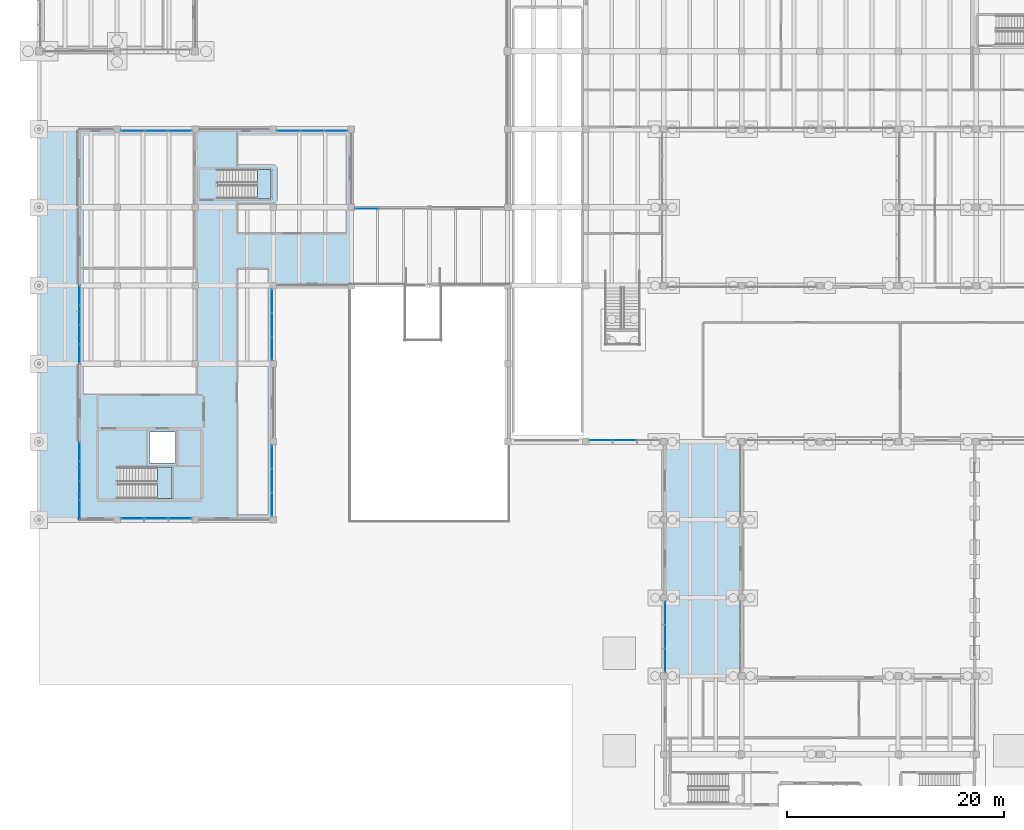
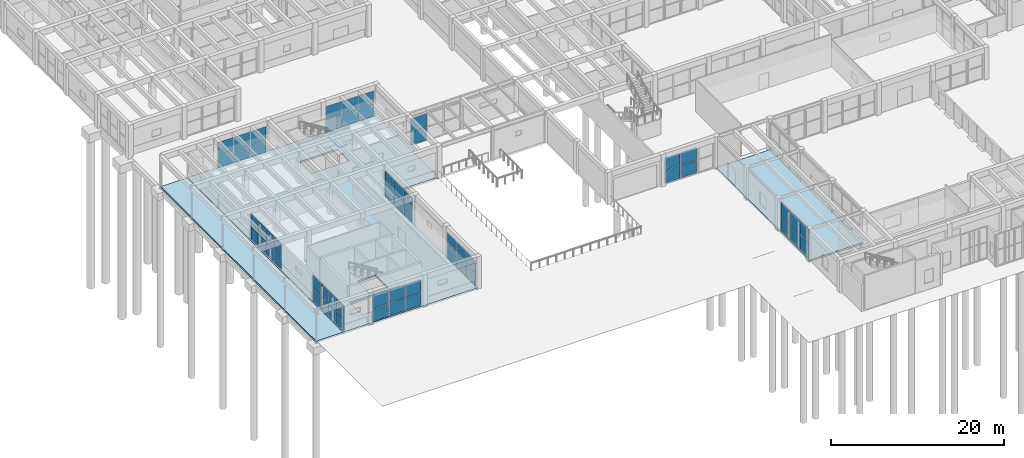
# One storey, part 109 of 155: 58 plates, 5 slabs, 12 elements without a shape of their own.
"""IFC4 building model written with IfcOpenShell, lengths in metres."""

from ifc_helpers import new_model, si_unit, direction, frame, origin, origin_2d, place, context, subcontext, project, spatial, polyline, rectangle, outline, extrude, material, layer, layer_set, type_object, element, aggregate, save


model = new_model("IFC4")

# Units and contexts
model_context = context("Model", 3, precision=1e-05, world=origin(), true_north=direction((0.0, 1.0)))
body_context = subcontext(model_context, "Body", "Model", "MODEL_VIEW")
ifc_project = project(units=[si_unit("LENGTHUNIT", "METRE"), si_unit("AREAUNIT", "SQUARE_METRE"), si_unit("VOLUMEUNIT", "CUBIC_METRE"), si_unit("PLANEANGLEUNIT", "RADIAN"), si_unit("MASSUNIT", "GRAM", prefix="KILO")], contexts=[model_context])

# Site, building, storey
site_placement = place(None, origin())
site = spatial("IfcSite", under=ifc_project, at=site_placement, CompositionType="ELEMENT")
building_placement = place(site_placement, origin())
building = spatial("IfcBuilding", under=site, at=building_placement, Name="Bramvelor Terrace Health Centre", CompositionType="ELEMENT")
storey_placement = place(building_placement, origin())
storey = spatial("IfcBuildingStorey", under=building, at=storey_placement, Name="L01", CompositionType="ELEMENT", Elevation=0.0)

# Curtain wall, plates
ifc_material_1 = material(Name="Anodized aluminium and double low-E glass", Category="aluminium")
curtain_wall_type_1 = type_object("IfcCurtainWallType", Name="CW-SYS-02", PredefinedType="NOTDEFINED", material=ifc_material_1)
curtain_wall_1_placement = place(storey_placement, origin())
curtain_wall_1 = element("IfcCurtainWall", 1, at=curtain_wall_1_placement, inside=storey, type_object=curtain_wall_type_1, Name="L01 Unitized Curtain Wall 4", PredefinedType="NOTDEFINED")
ifc_material_2 = material(Name="Double low-E laminated glass", Category="glass")
ifc_layer_1 = layer(ifc_material_2, 0.028076171875)
ifc_layer_set_1 = layer_set([ifc_layer_1], Name="Double low-E laminated glass")
plate_type = type_object("IfcPlateType", Name="CW-PNL-GLZ28", PredefinedType="CURTAIN_PANEL", material=ifc_layer_set_1)
plate_1_placement = place(storey_placement, frame((21.469970703125, 48.984619140625, 0.06494140625), z_axis=(0.0, 0.0, 1.0), x_axis=(0.0, -1.0, 0.0)))
plate_1 = element("IfcPlate", 2, at=plate_1_placement, type_object=plate_type, Name="CW-02 panel 1.1", PredefinedType="CURTAIN_PANEL", context=body_context, shape_type="SweptSolid", body=[
    extrude(rectangle(XDim=2.0908203125, YDim=0.028076171875, at=origin_2d()), origin(), (0.0, 0.0, 1.0), 1.762451171875),
])
plate_2_placement = place(storey_placement, frame((21.469970703125, 48.984619140625, 1.892578125), z_axis=(0.0, 0.0, 1.0), x_axis=(0.0, -1.0, 0.0)))
plate_2 = element("IfcPlate", 3, at=plate_2_placement, type_object=plate_type, Name="CW-02 panel 1.2", PredefinedType="CURTAIN_PANEL", context=body_context, shape_type="SweptSolid", body=[
    extrude(rectangle(XDim=2.0908203125, YDim=0.028076171875, at=origin_2d()), origin(), (0.0, 0.0, 1.0), 1.762451171875),
])
plate_3_placement = place(storey_placement, frame((21.469970703125, 46.800048828125, 0.06494140625), z_axis=(0.0, 0.0, 1.0), x_axis=(0.0, -1.0, 0.0)))
plate_3 = element("IfcPlate", 4, at=plate_3_placement, type_object=plate_type, Name="CW-02 panel 2.1", PredefinedType="CURTAIN_PANEL", context=body_context, shape_type="SweptSolid", body=[
    extrude(rectangle(XDim=2.12841796875, YDim=0.028076171875, at=origin_2d()), origin(), (0.0, 0.0, 1.0), 1.762451171875),
])
plate_4_placement = place(storey_placement, frame((21.469970703125, 46.800048828125, 1.892578125), z_axis=(0.0, 0.0, 1.0), x_axis=(0.0, -1.0, 0.0)))
plate_4 = element("IfcPlate", 5, at=plate_4_placement, type_object=plate_type, Name="CW-02 panel 2.2", PredefinedType="CURTAIN_PANEL", context=body_context, shape_type="SweptSolid", body=[
    extrude(rectangle(XDim=2.12841796875, YDim=0.028076171875, at=origin_2d()), origin(), (0.0, 0.0, 1.0), 1.762451171875),
])
plate_5_placement = place(storey_placement, frame((21.469970703125, 44.615478515625, 0.06494140625), z_axis=(0.0, 0.0, 1.0), x_axis=(0.0, -1.0, 0.0)))
plate_5 = element("IfcPlate", 6, at=plate_5_placement, type_object=plate_type, Name="CW-02 panel 3.1", PredefinedType="CURTAIN_PANEL", context=body_context, shape_type="SweptSolid", body=[
    extrude(rectangle(XDim=2.0908203125, YDim=0.028076171875, at=origin_2d()), origin(), (0.0, 0.0, 1.0), 1.762451171875),
])
plate_6_placement = place(storey_placement, frame((21.469970703125, 44.615478515625, 1.892578125), z_axis=(0.0, 0.0, 1.0), x_axis=(0.0, -1.0, 0.0)))
plate_6 = element("IfcPlate", 7, at=plate_6_placement, type_object=plate_type, Name="CW-02 panel 3.2", PredefinedType="CURTAIN_PANEL", context=body_context, shape_type="SweptSolid", body=[
    extrude(rectangle(XDim=2.0908203125, YDim=0.028076171875, at=origin_2d()), origin(), (0.0, 0.0, 1.0), 1.762451171875),
])
aggregate(curtain_wall_1, [plate_1, plate_2, plate_3, plate_4, plate_5, plate_6])

curtain_wall_2_placement = place(storey_placement, origin())
curtain_wall_2 = element("IfcCurtainWall", 8, at=curtain_wall_2_placement, inside=storey, type_object=curtain_wall_type_1, Name="L01 Unitized Curtain Wall 5", PredefinedType="NOTDEFINED")
plate_7_placement = place(storey_placement, frame((21.469970703125, 34.58447265625, 0.06494140625), z_axis=(0.0, 0.0, 1.0), x_axis=(0.0, -1.0, 0.0)))
plate_7 = element("IfcPlate", 9, at=plate_7_placement, type_object=plate_type, Name="CW-02 panel 1.1", PredefinedType="CURTAIN_PANEL", context=body_context, shape_type="SweptSolid", body=[
    extrude(rectangle(XDim=2.0908203125, YDim=0.028076171875, at=origin_2d()), origin(), (0.0, 0.0, 1.0), 1.762451171875),
])
plate_8_placement = place(storey_placement, frame((21.469970703125, 34.58447265625, 1.892578125), z_axis=(0.0, 0.0, 1.0), x_axis=(0.0, -1.0, 0.0)))
plate_8 = element("IfcPlate", 10, at=plate_8_placement, type_object=plate_type, Name="CW-02 panel 1.2", PredefinedType="CURTAIN_PANEL", context=body_context, shape_type="SweptSolid", body=[
    extrude(rectangle(XDim=2.0908203125, YDim=0.028076171875, at=origin_2d()), origin(), (0.0, 0.0, 1.0), 1.762451171875),
])
plate_9_placement = place(storey_placement, frame((21.469970703125, 32.39990234375, 0.06494140625), z_axis=(0.0, 0.0, 1.0), x_axis=(0.0, -1.0, 0.0)))
plate_9 = element("IfcPlate", 11, at=plate_9_placement, type_object=plate_type, Name="CW-02 panel 2.1", PredefinedType="CURTAIN_PANEL", context=body_context, shape_type="SweptSolid", body=[
    extrude(rectangle(XDim=2.12841796875, YDim=0.028076171875, at=origin_2d()), origin(), (0.0, 0.0, 1.0), 1.762451171875),
])
plate_10_placement = place(storey_placement, frame((21.469970703125, 32.39990234375, 1.892578125), z_axis=(0.0, 0.0, 1.0), x_axis=(0.0, -1.0, 0.0)))
plate_10 = element("IfcPlate", 12, at=plate_10_placement, type_object=plate_type, Name="CW-02 panel 2.2", PredefinedType="CURTAIN_PANEL", context=body_context, shape_type="SweptSolid", body=[
    extrude(rectangle(XDim=2.12841796875, YDim=0.028076171875, at=origin_2d()), origin(), (0.0, 0.0, 1.0), 1.762451171875),
])
plate_11_placement = place(storey_placement, frame((21.469970703125, 30.21533203125, 0.06494140625), z_axis=(0.0, 0.0, 1.0), x_axis=(0.0, -1.0, 0.0)))
plate_11 = element("IfcPlate", 13, at=plate_11_placement, type_object=plate_type, Name="CW-02 panel 3.1", PredefinedType="CURTAIN_PANEL", context=body_context, shape_type="SweptSolid", body=[
    extrude(rectangle(XDim=2.0908203125, YDim=0.028076171875, at=origin_2d()), origin(), (0.0, 0.0, 1.0), 1.762451171875),
])
plate_12_placement = place(storey_placement, frame((21.469970703125, 30.21533203125, 1.892578125), z_axis=(0.0, 0.0, 1.0), x_axis=(0.0, -1.0, 0.0)))
plate_12 = element("IfcPlate", 14, at=plate_12_placement, type_object=plate_type, Name="CW-02 panel 3.2", PredefinedType="CURTAIN_PANEL", context=body_context, shape_type="SweptSolid", body=[
    extrude(rectangle(XDim=2.0908203125, YDim=0.028076171875, at=origin_2d()), origin(), (0.0, 0.0, 1.0), 1.762451171875),
])
aggregate(curtain_wall_2, [plate_7, plate_8, plate_9, plate_10, plate_11, plate_12])

curtain_wall_3_placement = place(storey_placement, origin())
curtain_wall_3 = element("IfcCurtainWall", 15, at=curtain_wall_3_placement, inside=storey, type_object=curtain_wall_type_1, Name="L01 Unitized Curtain Wall 6", PredefinedType="NOTDEFINED")
plate_13_placement = place(storey_placement, frame((12.984619140625, 28.929931640625, 0.06494140625), z_axis=(0.0, 0.0, 1.0), x_axis=(-1.0, 0.0, 0.0)))
plate_13 = element("IfcPlate", 16, at=plate_13_placement, type_object=plate_type, Name="CW-02 panel 1.1", PredefinedType="CURTAIN_PANEL", context=body_context, shape_type="SweptSolid", body=[
    extrude(rectangle(XDim=2.0908203125, YDim=0.028076171875, at=origin_2d()), origin(), (0.0, 0.0, 1.0), 1.762451171875),
])
plate_14_placement = place(storey_placement, frame((12.984619140625, 28.929931640625, 1.892578125), z_axis=(0.0, 0.0, 1.0), x_axis=(-1.0, 0.0, 0.0)))
plate_14 = element("IfcPlate", 17, at=plate_14_placement, type_object=plate_type, Name="CW-02 panel 1.2", PredefinedType="CURTAIN_PANEL", context=body_context, shape_type="SweptSolid", body=[
    extrude(rectangle(XDim=2.0908203125, YDim=0.028076171875, at=origin_2d()), origin(), (0.0, 0.0, 1.0), 1.762451171875),
])
plate_15_placement = place(storey_placement, frame((10.800048828125, 28.929931640625, 0.06494140625), z_axis=(0.0, 0.0, 1.0), x_axis=(-1.0, 0.0, 0.0)))
plate_15 = element("IfcPlate", 18, at=plate_15_placement, type_object=plate_type, Name="CW-02 panel 2.1", PredefinedType="CURTAIN_PANEL", context=body_context, shape_type="SweptSolid", body=[
    extrude(rectangle(XDim=2.12841796875, YDim=0.028076171875, at=origin_2d()), origin(), (0.0, 0.0, 1.0), 1.762451171875),
])
plate_16_placement = place(storey_placement, frame((10.800048828125, 28.929931640625, 1.892578125), z_axis=(0.0, 0.0, 1.0), x_axis=(-1.0, 0.0, 0.0)))
plate_16 = element("IfcPlate", 19, at=plate_16_placement, type_object=plate_type, Name="CW-02 panel 2.2", PredefinedType="CURTAIN_PANEL", context=body_context, shape_type="SweptSolid", body=[
    extrude(rectangle(XDim=2.12841796875, YDim=0.028076171875, at=origin_2d()), origin(), (0.0, 0.0, 1.0), 1.762451171875),
])
plate_17_placement = place(storey_placement, frame((8.615478515625, 28.929931640625, 0.06494140625), z_axis=(0.0, 0.0, 1.0), x_axis=(-1.0, 0.0, 0.0)))
plate_17 = element("IfcPlate", 20, at=plate_17_placement, type_object=plate_type, Name="CW-02 panel 3.1", PredefinedType="CURTAIN_PANEL", context=body_context, shape_type="SweptSolid", body=[
    extrude(rectangle(XDim=2.0908203125, YDim=0.028076171875, at=origin_2d()), origin(), (0.0, 0.0, 1.0), 1.762451171875),
])
plate_18_placement = place(storey_placement, frame((8.615478515625, 28.929931640625, 1.892578125), z_axis=(0.0, 0.0, 1.0), x_axis=(-1.0, 0.0, 0.0)))
plate_18 = element("IfcPlate", 21, at=plate_18_placement, type_object=plate_type, Name="CW-02 panel 3.2", PredefinedType="CURTAIN_PANEL", context=body_context, shape_type="SweptSolid", body=[
    extrude(rectangle(XDim=2.0908203125, YDim=0.028076171875, at=origin_2d()), origin(), (0.0, 0.0, 1.0), 1.762451171875),
])
aggregate(curtain_wall_3, [plate_13, plate_14, plate_15, plate_16, plate_17, plate_18])

ifc_material_3 = material(Name="Anodized aluminium and double low-E glass", Category="aluminium")
curtain_wall_type_2 = type_object("IfcCurtainWallType", Name="CW-SYS-03", PredefinedType="NOTDEFINED", material=ifc_material_3)
curtain_wall_4_placement = place(storey_placement, origin())
curtain_wall_4 = element("IfcCurtainWall", 22, at=curtain_wall_4_placement, inside=storey, type_object=curtain_wall_type_2, Name="L01 Unitized Curtain Wall 7", PredefinedType="NOTDEFINED")
plate_19_placement = place(storey_placement, frame((3.72998046875, 29.701171875, 0.06494140625), z_axis=(0.0, 0.0, 1.0), x_axis=(0.0, 1.0, 0.0)))
plate_19 = element("IfcPlate", 23, at=plate_19_placement, type_object=plate_type, Name="CW-03 panel 1.1", PredefinedType="CURTAIN_PANEL", context=body_context, shape_type="SweptSolid", body=[
    extrude(rectangle(XDim=1.6923828125, YDim=0.028076171875, at=origin_2d()), origin(), (0.0, 0.0, 1.0), 1.762451171875),
])
plate_20_placement = place(storey_placement, frame((3.72998046875, 29.701171875, 1.892578125), z_axis=(0.0, 0.0, 1.0), x_axis=(0.0, 1.0, 0.0)))
plate_20 = element("IfcPlate", 24, at=plate_20_placement, type_object=plate_type, Name="CW-03 panel 1.2", PredefinedType="CURTAIN_PANEL", context=body_context, shape_type="SweptSolid", body=[
    extrude(rectangle(XDim=1.6923828125, YDim=0.028076171875, at=origin_2d()), origin(), (0.0, 0.0, 1.0), 1.762451171875),
])
plate_21_placement = place(storey_placement, frame((3.72998046875, 31.487548828125, 0.06494140625), z_axis=(0.0, 0.0, 1.0), x_axis=(0.0, 1.0, 0.0)))
plate_21 = element("IfcPlate", 25, at=plate_21_placement, type_object=plate_type, Name="CW-03 panel 2.1", PredefinedType="CURTAIN_PANEL", context=body_context, shape_type="SweptSolid", body=[
    extrude(rectangle(XDim=1.72998046875, YDim=0.028076171875, at=origin_2d()), origin(), (0.0, 0.0, 1.0), 1.762451171875),
])
plate_22_placement = place(storey_placement, frame((3.72998046875, 31.487548828125, 1.892578125), z_axis=(0.0, 0.0, 1.0), x_axis=(0.0, 1.0, 0.0)))
plate_22 = element("IfcPlate", 26, at=plate_22_placement, type_object=plate_type, Name="CW-03 panel 2.2", PredefinedType="CURTAIN_PANEL", context=body_context, shape_type="SweptSolid", body=[
    extrude(rectangle(XDim=1.72998046875, YDim=0.028076171875, at=origin_2d()), origin(), (0.0, 0.0, 1.0), 1.762451171875),
])
plate_23_placement = place(storey_placement, frame((3.72998046875, 33.29248046875, 0.06494140625), z_axis=(0.0, 0.0, 1.0), x_axis=(0.0, 1.0, 0.0)))
plate_23 = element("IfcPlate", 27, at=plate_23_placement, type_object=plate_type, Name="CW-03 panel 3.1", PredefinedType="CURTAIN_PANEL", context=body_context, shape_type="SweptSolid", body=[
    extrude(rectangle(XDim=1.72998046875, YDim=0.028076171875, at=origin_2d()), origin(), (0.0, 0.0, 1.0), 1.762451171875),
])
plate_24_placement = place(storey_placement, frame((3.72998046875, 33.29248046875, 1.892578125), z_axis=(0.0, 0.0, 1.0), x_axis=(0.0, 1.0, 0.0)))
plate_24 = element("IfcPlate", 28, at=plate_24_placement, type_object=plate_type, Name="CW-03 panel 3.2", PredefinedType="CURTAIN_PANEL", context=body_context, shape_type="SweptSolid", body=[
    extrude(rectangle(XDim=1.72998046875, YDim=0.028076171875, at=origin_2d()), origin(), (0.0, 0.0, 1.0), 1.762451171875),
])
plate_25_placement = place(storey_placement, frame((3.72998046875, 35.078857421875, 0.06494140625), z_axis=(0.0, 0.0, 1.0), x_axis=(0.0, 1.0, 0.0)))
plate_25 = element("IfcPlate", 29, at=plate_25_placement, type_object=plate_type, Name="CW-03 panel 4.1", PredefinedType="CURTAIN_PANEL", context=body_context, shape_type="SweptSolid", body=[
    extrude(rectangle(XDim=1.6923828125, YDim=0.028076171875, at=origin_2d()), origin(), (0.0, 0.0, 1.0), 1.762451171875),
])
plate_26_placement = place(storey_placement, frame((3.72998046875, 35.078857421875, 1.892578125), z_axis=(0.0, 0.0, 1.0), x_axis=(0.0, 1.0, 0.0)))
plate_26 = element("IfcPlate", 30, at=plate_26_placement, type_object=plate_type, Name="CW-03 panel 4.2", PredefinedType="CURTAIN_PANEL", context=body_context, shape_type="SweptSolid", body=[
    extrude(rectangle(XDim=1.6923828125, YDim=0.028076171875, at=origin_2d()), origin(), (0.0, 0.0, 1.0), 1.762451171875),
])
aggregate(curtain_wall_4, [plate_19, plate_20, plate_21, plate_22, plate_23, plate_24, plate_25, plate_26])

curtain_wall_5_placement = place(storey_placement, origin())
curtain_wall_5 = element("IfcCurtainWall", 31, at=curtain_wall_5_placement, inside=storey, type_object=curtain_wall_type_2, Name="L01 Unitized Curtain Wall 8", PredefinedType="NOTDEFINED")
plate_27_placement = place(storey_placement, frame((3.72998046875, 44.11865234375, 0.06494140625), z_axis=(0.0, 0.0, 1.0), x_axis=(0.0, 1.0, 0.0)))
plate_27 = element("IfcPlate", 32, at=plate_27_placement, type_object=plate_type, Name="CW-03 panel 1.1", PredefinedType="CURTAIN_PANEL", context=body_context, shape_type="SweptSolid", body=[
    extrude(rectangle(XDim=1.6875, YDim=0.028076171875, at=origin_2d()), origin(), (0.0, 0.0, 1.0), 1.762451171875),
])
plate_28_placement = place(storey_placement, frame((3.72998046875, 44.11865234375, 1.892578125), z_axis=(0.0, 0.0, 1.0), x_axis=(0.0, 1.0, 0.0)))
plate_28 = element("IfcPlate", 33, at=plate_28_placement, type_object=plate_type, Name="CW-03 panel 1.2", PredefinedType="CURTAIN_PANEL", context=body_context, shape_type="SweptSolid", body=[
    extrude(rectangle(XDim=1.6875, YDim=0.028076171875, at=origin_2d()), origin(), (0.0, 0.0, 1.0), 1.762451171875),
])
plate_29_placement = place(storey_placement, frame((3.72998046875, 45.89990234375, 0.06494140625), z_axis=(0.0, 0.0, 1.0), x_axis=(0.0, 1.0, 0.0)))
plate_29 = element("IfcPlate", 34, at=plate_29_placement, type_object=plate_type, Name="CW-03 panel 2.1", PredefinedType="CURTAIN_PANEL", context=body_context, shape_type="SweptSolid", body=[
    extrude(rectangle(XDim=1.72509765625, YDim=0.028076171875, at=origin_2d()), origin(), (0.0, 0.0, 1.0), 1.762451171875),
])
plate_30_placement = place(storey_placement, frame((3.72998046875, 45.89990234375, 1.892578125), z_axis=(0.0, 0.0, 1.0), x_axis=(0.0, 1.0, 0.0)))
plate_30 = element("IfcPlate", 35, at=plate_30_placement, type_object=plate_type, Name="CW-03 panel 2.2", PredefinedType="CURTAIN_PANEL", context=body_context, shape_type="SweptSolid", body=[
    extrude(rectangle(XDim=1.72509765625, YDim=0.028076171875, at=origin_2d()), origin(), (0.0, 0.0, 1.0), 1.762451171875),
])
plate_31_placement = place(storey_placement, frame((3.72998046875, 47.699951171875, 0.06494140625), z_axis=(0.0, 0.0, 1.0), x_axis=(0.0, 1.0, 0.0)))
plate_31 = element("IfcPlate", 36, at=plate_31_placement, type_object=plate_type, Name="CW-03 panel 3.1", PredefinedType="CURTAIN_PANEL", context=body_context, shape_type="SweptSolid", body=[
    extrude(rectangle(XDim=1.72509765625, YDim=0.028076171875, at=origin_2d()), origin(), (0.0, 0.0, 1.0), 1.762451171875),
])
plate_32_placement = place(storey_placement, frame((3.72998046875, 47.699951171875, 1.892578125), z_axis=(0.0, 0.0, 1.0), x_axis=(0.0, 1.0, 0.0)))
plate_32 = element("IfcPlate", 37, at=plate_32_placement, type_object=plate_type, Name="CW-03 panel 3.2", PredefinedType="CURTAIN_PANEL", context=body_context, shape_type="SweptSolid", body=[
    extrude(rectangle(XDim=1.72509765625, YDim=0.028076171875, at=origin_2d()), origin(), (0.0, 0.0, 1.0), 1.762451171875),
])
plate_33_placement = place(storey_placement, frame((3.72998046875, 49.481201171875, 0.06494140625), z_axis=(0.0, 0.0, 1.0), x_axis=(0.0, 1.0, 0.0)))
plate_33 = element("IfcPlate", 38, at=plate_33_placement, type_object=plate_type, Name="CW-03 panel 4.1", PredefinedType="CURTAIN_PANEL", context=body_context, shape_type="SweptSolid", body=[
    extrude(rectangle(XDim=1.6875, YDim=0.028076171875, at=origin_2d()), origin(), (0.0, 0.0, 1.0), 1.762451171875),
])
plate_34_placement = place(storey_placement, frame((3.72998046875, 49.481201171875, 1.892578125), z_axis=(0.0, 0.0, 1.0), x_axis=(0.0, 1.0, 0.0)))
plate_34 = element("IfcPlate", 39, at=plate_34_placement, type_object=plate_type, Name="CW-03 panel 4.2", PredefinedType="CURTAIN_PANEL", context=body_context, shape_type="SweptSolid", body=[
    extrude(rectangle(XDim=1.6875, YDim=0.028076171875, at=origin_2d()), origin(), (0.0, 0.0, 1.0), 1.762451171875),
])
aggregate(curtain_wall_5, [plate_27, plate_28, plate_29, plate_30, plate_31, plate_32, plate_33, plate_34])

curtain_wall_6_placement = place(storey_placement, origin())
curtain_wall_6 = element("IfcCurtainWall", 40, at=curtain_wall_6_placement, inside=storey, type_object=curtain_wall_type_1, Name="L01 Unitized Curtain Wall 9", PredefinedType="NOTDEFINED")
plate_35_placement = place(storey_placement, frame((8.615478515625, 64.669921875, 0.06494140625), z_axis=(0.0, 0.0, 1.0), x_axis=(1.0, 0.0, 0.0)))
plate_35 = element("IfcPlate", 41, at=plate_35_placement, type_object=plate_type, Name="CW-02 panel 1.1", PredefinedType="CURTAIN_PANEL", context=body_context, shape_type="SweptSolid", body=[
    extrude(rectangle(XDim=2.0908203125, YDim=0.028076171875, at=origin_2d()), origin(), (0.0, 0.0, 1.0), 1.762451171875),
])
plate_36_placement = place(storey_placement, frame((8.615478515625, 64.669921875, 1.892578125), z_axis=(0.0, 0.0, 1.0), x_axis=(1.0, 0.0, 0.0)))
plate_36 = element("IfcPlate", 42, at=plate_36_placement, type_object=plate_type, Name="CW-02 panel 1.2", PredefinedType="CURTAIN_PANEL", context=body_context, shape_type="SweptSolid", body=[
    extrude(rectangle(XDim=2.0908203125, YDim=0.028076171875, at=origin_2d()), origin(), (0.0, 0.0, 1.0), 1.762451171875),
])
plate_37_placement = place(storey_placement, frame((10.800048828125, 64.669921875, 0.06494140625), z_axis=(0.0, 0.0, 1.0), x_axis=(1.0, 0.0, 0.0)))
plate_37 = element("IfcPlate", 43, at=plate_37_placement, type_object=plate_type, Name="CW-02 panel 2.1", PredefinedType="CURTAIN_PANEL", context=body_context, shape_type="SweptSolid", body=[
    extrude(rectangle(XDim=2.12841796875, YDim=0.028076171875, at=origin_2d()), origin(), (0.0, 0.0, 1.0), 1.762451171875),
])
plate_38_placement = place(storey_placement, frame((10.800048828125, 64.669921875, 1.892578125), z_axis=(0.0, 0.0, 1.0), x_axis=(1.0, 0.0, 0.0)))
plate_38 = element("IfcPlate", 44, at=plate_38_placement, type_object=plate_type, Name="CW-02 panel 2.2", PredefinedType="CURTAIN_PANEL", context=body_context, shape_type="SweptSolid", body=[
    extrude(rectangle(XDim=2.12841796875, YDim=0.028076171875, at=origin_2d()), origin(), (0.0, 0.0, 1.0), 1.762451171875),
])
plate_39_placement = place(storey_placement, frame((12.984619140625, 64.669921875, 0.06494140625), z_axis=(0.0, 0.0, 1.0), x_axis=(1.0, 0.0, 0.0)))
plate_39 = element("IfcPlate", 45, at=plate_39_placement, type_object=plate_type, Name="CW-02 panel 3.1", PredefinedType="CURTAIN_PANEL", context=body_context, shape_type="SweptSolid", body=[
    extrude(rectangle(XDim=2.0908203125, YDim=0.028076171875, at=origin_2d()), origin(), (0.0, 0.0, 1.0), 1.762451171875),
])
plate_40_placement = place(storey_placement, frame((12.984619140625, 64.669921875, 1.892578125), z_axis=(0.0, 0.0, 1.0), x_axis=(1.0, 0.0, 0.0)))
plate_40 = element("IfcPlate", 46, at=plate_40_placement, type_object=plate_type, Name="CW-02 panel 3.2", PredefinedType="CURTAIN_PANEL", context=body_context, shape_type="SweptSolid", body=[
    extrude(rectangle(XDim=2.0908203125, YDim=0.028076171875, at=origin_2d()), origin(), (0.0, 0.0, 1.0), 1.762451171875),
])
aggregate(curtain_wall_6, [plate_35, plate_36, plate_37, plate_38, plate_39, plate_40])

curtain_wall_7_placement = place(storey_placement, origin())
curtain_wall_7 = element("IfcCurtainWall", 47, at=curtain_wall_7_placement, inside=storey, type_object=curtain_wall_type_1, Name="L01 Unitized Curtain Wall 10", PredefinedType="NOTDEFINED")
plate_41_placement = place(storey_placement, frame((23.015380859375, 64.669921875, 0.06494140625), z_axis=(0.0, 0.0, 1.0), x_axis=(1.0, 0.0, 0.0)))
plate_41 = element("IfcPlate", 48, at=plate_41_placement, type_object=plate_type, Name="CW-02 panel 1.1", PredefinedType="CURTAIN_PANEL", context=body_context, shape_type="SweptSolid", body=[
    extrude(rectangle(XDim=2.0908203125, YDim=0.028076171875, at=origin_2d()), origin(), (0.0, 0.0, 1.0), 1.762451171875),
])
plate_42_placement = place(storey_placement, frame((23.015380859375, 64.669921875, 1.892578125), z_axis=(0.0, 0.0, 1.0), x_axis=(1.0, 0.0, 0.0)))
plate_42 = element("IfcPlate", 49, at=plate_42_placement, type_object=plate_type, Name="CW-02 panel 1.2", PredefinedType="CURTAIN_PANEL", context=body_context, shape_type="SweptSolid", body=[
    extrude(rectangle(XDim=2.0908203125, YDim=0.028076171875, at=origin_2d()), origin(), (0.0, 0.0, 1.0), 1.762451171875),
])
plate_43_placement = place(storey_placement, frame((25.199951171875, 64.669921875, 0.06494140625), z_axis=(0.0, 0.0, 1.0), x_axis=(1.0, 0.0, 0.0)))
plate_43 = element("IfcPlate", 50, at=plate_43_placement, type_object=plate_type, Name="CW-02 panel 2.1", PredefinedType="CURTAIN_PANEL", context=body_context, shape_type="SweptSolid", body=[
    extrude(rectangle(XDim=2.12841796875, YDim=0.028076171875, at=origin_2d()), origin(), (0.0, 0.0, 1.0), 1.762451171875),
])
plate_44_placement = place(storey_placement, frame((25.199951171875, 64.669921875, 1.892578125), z_axis=(0.0, 0.0, 1.0), x_axis=(1.0, 0.0, 0.0)))
plate_44 = element("IfcPlate", 51, at=plate_44_placement, type_object=plate_type, Name="CW-02 panel 2.2", PredefinedType="CURTAIN_PANEL", context=body_context, shape_type="SweptSolid", body=[
    extrude(rectangle(XDim=2.12841796875, YDim=0.028076171875, at=origin_2d()), origin(), (0.0, 0.0, 1.0), 1.762451171875),
])
plate_45_placement = place(storey_placement, frame((27.384521484375, 64.669921875, 0.06494140625), z_axis=(0.0, 0.0, 1.0), x_axis=(1.0, 0.0, 0.0)))
plate_45 = element("IfcPlate", 52, at=plate_45_placement, type_object=plate_type, Name="CW-02 panel 3.1", PredefinedType="CURTAIN_PANEL", context=body_context, shape_type="SweptSolid", body=[
    extrude(rectangle(XDim=2.0908203125, YDim=0.028076171875, at=origin_2d()), origin(), (0.0, 0.0, 1.0), 1.762451171875),
])
plate_46_placement = place(storey_placement, frame((27.384521484375, 64.669921875, 1.892578125), z_axis=(0.0, 0.0, 1.0), x_axis=(1.0, 0.0, 0.0)))
plate_46 = element("IfcPlate", 53, at=plate_46_placement, type_object=plate_type, Name="CW-02 panel 3.2", PredefinedType="CURTAIN_PANEL", context=body_context, shape_type="SweptSolid", body=[
    extrude(rectangle(XDim=2.0908203125, YDim=0.028076171875, at=origin_2d()), origin(), (0.0, 0.0, 1.0), 1.762451171875),
])
aggregate(curtain_wall_7, [plate_41, plate_42, plate_43, plate_44, plate_45, plate_46])

ifc_material_4 = material(Name="Anodized aluminium and double low-E glass", Category="aluminium")
curtain_wall_type_3 = type_object("IfcCurtainWallType", Name="CW-SYS-04", PredefinedType="NOTDEFINED", material=ifc_material_4)
curtain_wall_8_placement = place(storey_placement, origin())
curtain_wall_8 = element("IfcCurtainWall", 54, at=curtain_wall_8_placement, inside=storey, type_object=curtain_wall_type_3, Name="L01 Unitized Curtain Wall 11", PredefinedType="NOTDEFINED")
plate_47_placement = place(storey_placement, frame((30.23974609375, 57.469970703125, 0.06494140625), z_axis=(0.0, 0.0, 1.0), x_axis=(1.0, 0.0, 0.0)))
plate_47 = element("IfcPlate", 55, at=plate_47_placement, type_object=plate_type, Name="CW-04 panel 1.1", PredefinedType="CURTAIN_PANEL", context=body_context, shape_type="SweptSolid", body=[
    extrude(rectangle(XDim=2.1396484375, YDim=0.028076171875, at=origin_2d()), origin(), (0.0, 0.0, 1.0), 1.822509765625),
])
plate_48_placement = place(storey_placement, frame((30.23974609375, 57.469970703125, 1.95263671875), z_axis=(0.0, 0.0, 1.0), x_axis=(1.0, 0.0, 0.0)))
plate_48 = element("IfcPlate", 56, at=plate_48_placement, type_object=plate_type, Name="CW-04 panel 1.2", PredefinedType="CURTAIN_PANEL", context=body_context, shape_type="SweptSolid", body=[
    extrude(rectangle(XDim=2.1396484375, YDim=0.028076171875, at=origin_2d()), origin(), (0.0, 0.0, 1.0), 1.822509765625),
])
aggregate(curtain_wall_8, [plate_47, plate_48])

ifc_material_5 = material(Name="Anodized aluminium and double low-E glass", Category="aluminium")
curtain_wall_type_4 = type_object("IfcCurtainWallType", Name="CW-SYS-07", PredefinedType="NOTDEFINED", material=ifc_material_5)
curtain_wall_9_placement = place(storey_placement, origin())
curtain_wall_9 = element("IfcCurtainWall", 57, at=curtain_wall_9_placement, inside=storey, type_object=curtain_wall_type_4, Name="L01 Unitized Curtain Wall 56", PredefinedType="NOTDEFINED")
plate_49_placement = place(storey_placement, frame((57.72998046875, 15.8154296875, 0.06494140625), z_axis=(0.0, 0.0, 1.0), x_axis=(0.0, 1.0, 0.0)))
plate_49 = element("IfcPlate", 58, at=plate_49_placement, type_object=plate_type, Name="CW-07 panel 1.1", PredefinedType="CURTAIN_PANEL", context=body_context, shape_type="SweptSolid", body=[
    extrude(rectangle(XDim=2.0908203125, YDim=0.028076171875, at=origin_2d()), origin(), (0.0, 0.0, 1.0), 1.969482421875),
])
plate_50_placement = place(storey_placement, frame((57.72998046875, 15.8154296875, 2.099609375), z_axis=(0.0, 0.0, 1.0), x_axis=(0.0, 1.0, 0.0)))
plate_50 = element("IfcPlate", 59, at=plate_50_placement, type_object=plate_type, Name="CW-07 panel 1.2", PredefinedType="CURTAIN_PANEL", context=body_context, shape_type="SweptSolid", body=[
    extrude(rectangle(XDim=2.0908203125, YDim=0.028076171875, at=origin_2d()), origin(), (0.0, 0.0, 1.0), 1.969482421875),
])
plate_51_placement = place(storey_placement, frame((57.72998046875, 18.0, 0.06494140625), z_axis=(0.0, 0.0, 1.0), x_axis=(0.0, 1.0, 0.0)))
plate_51 = element("IfcPlate", 60, at=plate_51_placement, type_object=plate_type, Name="CW-07 panel 2.1", PredefinedType="CURTAIN_PANEL", context=body_context, shape_type="SweptSolid", body=[
    extrude(rectangle(XDim=2.12841796875, YDim=0.028076171875, at=origin_2d()), origin(), (0.0, 0.0, 1.0), 1.969482421875),
])
plate_52_placement = place(storey_placement, frame((57.72998046875, 18.0, 2.099609375), z_axis=(0.0, 0.0, 1.0), x_axis=(0.0, 1.0, 0.0)))
plate_52 = element("IfcPlate", 61, at=plate_52_placement, type_object=plate_type, Name="CW-07 panel 2.2", PredefinedType="CURTAIN_PANEL", context=body_context, shape_type="SweptSolid", body=[
    extrude(rectangle(XDim=2.12841796875, YDim=0.028076171875, at=origin_2d()), origin(), (0.0, 0.0, 1.0), 1.969482421875),
])
plate_53_placement = place(storey_placement, frame((57.72998046875, 20.1845703125, 0.06494140625), z_axis=(0.0, 0.0, 1.0), x_axis=(0.0, 1.0, 0.0)))
plate_53 = element("IfcPlate", 62, at=plate_53_placement, type_object=plate_type, Name="CW-07 panel 3.1", PredefinedType="CURTAIN_PANEL", context=body_context, shape_type="SweptSolid", body=[
    extrude(rectangle(XDim=2.0908203125, YDim=0.028076171875, at=origin_2d()), origin(), (0.0, 0.0, 1.0), 1.969482421875),
])
plate_54_placement = place(storey_placement, frame((57.72998046875, 20.1845703125, 2.099609375), z_axis=(0.0, 0.0, 1.0), x_axis=(0.0, 1.0, 0.0)))
plate_54 = element("IfcPlate", 63, at=plate_54_placement, type_object=plate_type, Name="CW-07 panel 3.2", PredefinedType="CURTAIN_PANEL", context=body_context, shape_type="SweptSolid", body=[
    extrude(rectangle(XDim=2.0908203125, YDim=0.028076171875, at=origin_2d()), origin(), (0.0, 0.0, 1.0), 1.969482421875),
])
aggregate(curtain_wall_9, [plate_49, plate_50, plate_51, plate_52, plate_53, plate_54])

curtain_wall_10_placement = place(storey_placement, origin())
curtain_wall_10 = element("IfcCurtainWall", 64, at=curtain_wall_10_placement, inside=storey, type_object=curtain_wall_type_1, Name="L01 Unitized Curtain Wall 57", PredefinedType="NOTDEFINED")
plate_55_placement = place(storey_placement, frame((54.0, 36.1298828125, 0.06494140625), z_axis=(0.0, 0.0, 1.0), x_axis=(-1.0, 0.0, 0.0)))
plate_55 = element("IfcPlate", 65, at=plate_55_placement, type_object=plate_type, Name="CW-02 panel 2.1", PredefinedType="CURTAIN_PANEL", context=body_context, shape_type="SweptSolid", body=[
    extrude(rectangle(XDim=2.12841796875, YDim=0.028076171875, at=origin_2d()), origin(), (0.0, 0.0, 1.0), 1.762451171875),
])
plate_56_placement = place(storey_placement, frame((54.0, 36.1298828125, 1.892578125), z_axis=(0.0, 0.0, 1.0), x_axis=(-1.0, 0.0, 0.0)))
plate_56 = element("IfcPlate", 66, at=plate_56_placement, type_object=plate_type, Name="CW-02 panel 2.2", PredefinedType="CURTAIN_PANEL", context=body_context, shape_type="SweptSolid", body=[
    extrude(rectangle(XDim=2.12841796875, YDim=0.028076171875, at=origin_2d()), origin(), (0.0, 0.0, 1.0), 1.762451171875),
])
plate_57_placement = place(storey_placement, frame((51.8154296875, 36.1298828125, 0.06494140625), z_axis=(0.0, 0.0, 1.0), x_axis=(-1.0, 0.0, 0.0)))
plate_57 = element("IfcPlate", 67, at=plate_57_placement, type_object=plate_type, Name="CW-02 panel 3.1", PredefinedType="CURTAIN_PANEL", context=body_context, shape_type="SweptSolid", body=[
    extrude(rectangle(XDim=2.0908203125, YDim=0.028076171875, at=origin_2d()), origin(), (0.0, 0.0, 1.0), 1.762451171875),
])
plate_58_placement = place(storey_placement, frame((51.8154296875, 36.1298828125, 1.892578125), z_axis=(0.0, 0.0, 1.0), x_axis=(-1.0, 0.0, 0.0)))
plate_58 = element("IfcPlate", 68, at=plate_58_placement, type_object=plate_type, Name="CW-02 panel 3.2", PredefinedType="CURTAIN_PANEL", context=body_context, shape_type="SweptSolid", body=[
    extrude(rectangle(XDim=2.0908203125, YDim=0.028076171875, at=origin_2d()), origin(), (0.0, 0.0, 1.0), 1.762451171875),
])
aggregate(curtain_wall_10, [plate_55, plate_56, plate_57, plate_58])

# Slabs
ifc_material_6 = material(Name="Concrete C40/50", Category="concrete")
ifc_layer_2 = layer(ifc_material_6, 0.25)
ifc_layer_set_2 = layer_set([ifc_layer_2], Name="Concrete C40/50")
slab_type_1 = type_object("IfcSlabType", Name="SLB-EXT-ARC-250", PredefinedType="FLOOR", material=ifc_layer_set_2)
slab_1_placement = place(storey_placement, frame((0.0, 0.0, -0.25)))
element("IfcSlab", 69, at=slab_1_placement, inside=storey, type_object=slab_type_1, Name="L01 Arcade Exterior Slab", PredefinedType="FLOOR", context=body_context, shape_type="SweptSolid", body=[
    extrude(outline(polyline([(0.0, 28.800048828125), (0.0, 64.800048828125), (3.594970703125, 64.800048828125), (3.594970703125, 28.800048828125), (0.0, 28.800048828125)])), origin(), (0.0, 0.0, 1.0), 0.25),
])
ifc_material_7 = material(Name="Concrete C40/50", Category="concrete")
ifc_layer_3 = layer(ifc_material_7, 0.25)
ifc_layer_set_3 = layer_set([ifc_layer_3], Name="Concrete C40/50")
slab_type_2 = type_object("IfcSlabType", Name="SLB-FLR-RC250", PredefinedType="FLOOR", material=ifc_layer_set_3)
slab_2_placement = place(storey_placement, frame((0.0, 0.0, -0.25)))
element("IfcSlab", 70, at=slab_2_placement, inside=storey, type_object=slab_type_2, Name="L01 LK_V1_V3 Floor Slab", PredefinedType="FLOOR", context=body_context, shape_type="SweptSolid", body=[
    extrude(outline(polyline([(64.800048828125, 14.39990234375), (64.800048828125, 36.0), (57.60009765625, 36.0), (57.60009765625, 14.39990234375), (64.800048828125, 14.39990234375)])), origin(), (0.0, 0.0, 1.0), 0.25),
])
slab_3_placement = place(storey_placement, frame((0.0, 0.0, -0.25)))
element("IfcSlab", 71, at=slab_3_placement, inside=storey, type_object=slab_type_2, Name="L01 V6 Floor Slab", PredefinedType="FLOOR", context=body_context, shape_type="SweptSolid", body=[
    extrude(outline(polyline([(21.60009765625, 64.800048828125), (28.800048828125, 64.800048828125), (28.800048828125, 50.39990234375), (21.60009765625, 50.39990234375), (21.60009765625, 28.800048828125), (3.60009765625, 28.800048828125), (3.60009765625, 64.800048828125), (21.60009765625, 64.800048828125)]), holes=[polyline([(7.280029296875, 30.75), (12.35009765625, 30.75), (12.35009765625, 33.64990234375), (7.280029296875, 33.64990234375), (7.280029296875, 30.75)]), polyline([(10.199951171875, 36.89990234375), (10.199951171875, 34.050048828125), (12.60009765625, 34.050048828125), (12.60009765625, 36.89990234375), (10.199951171875, 36.89990234375)]), polyline([(21.550048828125, 61.10009765625), (16.47998046875, 61.10009765625), (16.47998046875, 58.39990234375), (21.550048828125, 58.39990234375), (21.550048828125, 61.10009765625)])]), origin(), (0.0, 0.0, 1.0), 0.25),
])

# Stair, slab
ifc_material_8 = material(Name="Concrete C40/50", Category="concrete")
stair_type_1 = type_object("IfcStairType", Name="STR-CORE", PredefinedType="HALF_TURN_STAIR", material=ifc_material_8)
stair_1_placement = place(storey_placement, origin())
stair_1 = element("IfcStair", 72, at=stair_1_placement, inside=storey, type_object=stair_type_1, Name="L01 C3 Primary Fire Stair", PredefinedType="HALF_TURN_STAIR")
ifc_material_9 = material(Name="Concrete C40/50", Category="concrete")
ifc_layer_4 = layer(ifc_material_9, 0.199951171875)
ifc_layer_set_4 = layer_set([ifc_layer_4], Name="Concrete C40/50")
slab_type_3 = type_object("IfcSlabType", Name="SLB-LND-200", PredefinedType="LANDING", material=ifc_layer_set_4)
slab_4_placement = place(storey_placement, frame((0.0, 0.0, 2.199951171875)))
slab_4 = element("IfcSlab", 73, at=slab_4_placement, type_object=slab_type_3, Name="ST-3 landing 1", PredefinedType="LANDING", context=body_context, shape_type="SweptSolid", body=[
    extrude(outline(polyline([(10.905029296875, 30.75), (12.2548828125, 30.75), (12.2548828125, 33.64990234375), (10.905029296875, 33.64990234375), (10.905029296875, 30.75)])), origin(), (0.0, 0.0, 1.0), 0.199951171875),
])
aggregate(stair_1, [slab_4])

ifc_material_10 = material(Name="Concrete C40/50", Category="concrete")
stair_type_2 = type_object("IfcStairType", Name="STR-SEC", PredefinedType="HALF_TURN_STAIR", material=ifc_material_10)
stair_2_placement = place(storey_placement, origin())
stair_2 = element("IfcStair", 74, at=stair_2_placement, inside=storey, type_object=stair_type_2, Name="L01 North Pharmacy & Mental Health Exit Stair", PredefinedType="HALF_TURN_STAIR")
slab_5_placement = place(storey_placement, frame((0.0, 0.0, 2.199951171875)))
slab_5 = element("IfcSlab", 75, at=slab_5_placement, type_object=slab_type_3, Name="ST-6 landing 1", PredefinedType="LANDING", context=body_context, shape_type="SweptSolid", body=[
    extrude(outline(polyline([(20.125, 58.39990234375), (21.375, 58.39990234375), (21.375, 61.10009765625), (20.125, 61.10009765625), (20.125, 58.39990234375)])), origin(), (0.0, 0.0, 1.0), 0.199951171875),
])
aggregate(stair_2, [slab_5])

save(model, "model.ifc")
